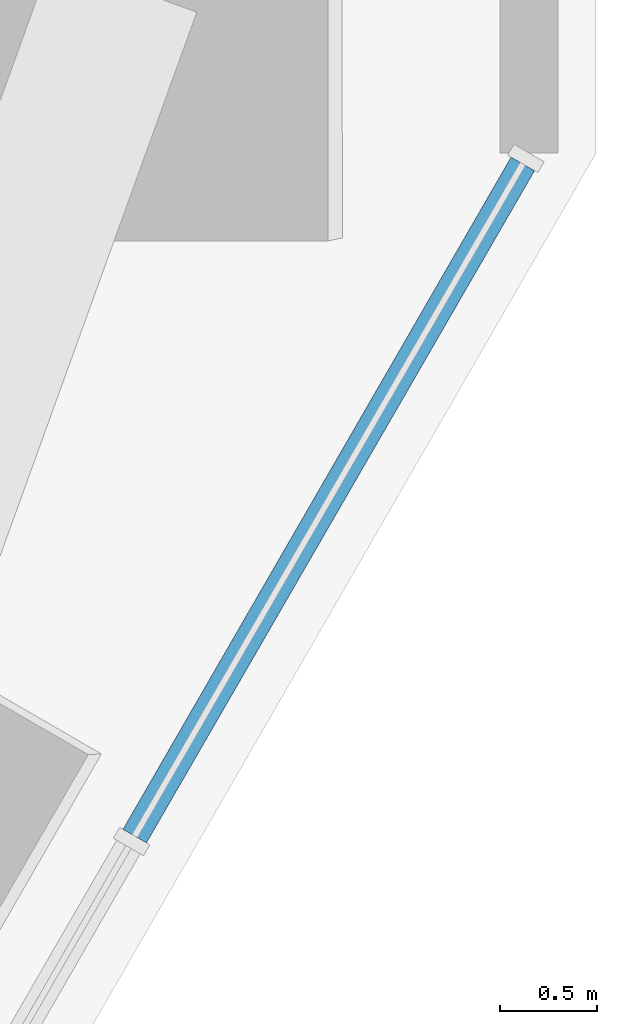
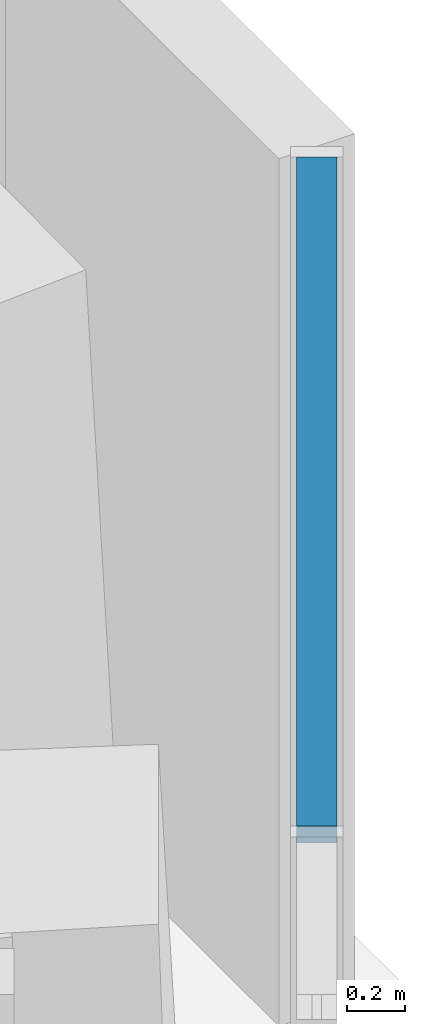
# One storey, part 6 of 17: 1 member, 1 element without a shape of its own.
"""IFC4 building model written with IfcOpenShell, lengths in metres."""

import ifcopenshell
import ifcopenshell.guid

model = None  # the IFC model being written
_history = None  # IfcOwnerHistory: only IFC2X3 demands one
_inside = {}  # id of a spatial element -> (the spatial element, [elements in it])
_under = {}  # id of a project, library or spatial element -> (it, [spatial elements below it])
_declared = {}  # id of a project -> (the project, [libraries it declares])
_typed = {}  # id of a type object -> (the type object, [elements of that type])
_made_of = {}  # id of a material, layer set ... -> (it, [elements and type objects made of it])


def new_model(schema):
    """Start an empty IFC model of exactly this schema.

    Asked for "IFC4X3", IfcOpenShell would pick the latest addendum, in which some entities
    have other attributes; the version numbers below select the first issue.
    IFC2X3 requires an IfcOwnerHistory on every rooted entity: one is made here for all.
    """
    global model, _history
    if schema == "IFC4X3":
        model = ifcopenshell.file(schema_version=(4, 3, 0, 0))
    else:
        model = ifcopenshell.file(schema=schema)
    _inside.clear()
    _under.clear()
    _declared.clear()
    _typed.clear()
    _made_of.clear()
    _history = None
    if model.schema == "IFC2X3":
        org = make("IfcOrganization", Name="unknown")
        user = make(
            "IfcPersonAndOrganization",
            ThePerson=make("IfcPerson", FamilyName="unknown"),
            TheOrganization=org,
        )
        app = make(
            "IfcApplication",
            ApplicationDeveloper=org,
            Version="unknown",
            ApplicationFullName="unknown",
            ApplicationIdentifier="unknown",
        )
        _history = make(
            "IfcOwnerHistory",
            OwningUser=user,
            OwningApplication=app,
            ChangeAction="ADDED",
            CreationDate=0,
        )
    return model


def make(cls, **values):
    """One entity of the class cls with the attributes given. An attribute that is None is left unset."""
    return model.create_entity(
        cls, **{name: value for name, value in values.items() if value is not None}
    )


def rooted(cls, **values):
    """An entity with a GlobalId (a new one), such as an element, a storey or a relation."""
    return make(cls, GlobalId=ifcopenshell.guid.new(), OwnerHistory=_history, **values)


def si_unit(unit_type, name, prefix=None):
    """IfcSIUnit, for example si_unit("LENGTHUNIT", "METRE", prefix="MILLI")."""
    return make("IfcSIUnit", UnitType=unit_type, Prefix=prefix, Name=name)


def assignment(units):
    """IfcUnitAssignment: the units of a project."""
    return None if units is None else make("IfcUnitAssignment", Units=units)


def point(xyz):
    """IfcCartesianPoint."""
    return None if xyz is None else make("IfcCartesianPoint", Coordinates=xyz)


def direction(xyz):
    """IfcDirection."""
    return None if xyz is None else make("IfcDirection", DirectionRatios=xyz)


def frame(location, z_axis=None, x_axis=None):
    """IfcAxis2Placement3D, a coordinate frame: its origin and axes. An axis left out is left unset."""
    return make(
        "IfcAxis2Placement3D",
        Location=point(location),
        Axis=direction(z_axis),
        RefDirection=direction(x_axis),
    )


def frame_2d(location, x_axis=None):
    """IfcAxis2Placement2D, a coordinate frame in the plane: its origin and x axis."""
    return make(
        "IfcAxis2Placement2D", Location=point(location), RefDirection=direction(x_axis)
    )


def origin():
    """The frame at (0, 0, 0) with its axes left unset."""
    return frame((0.0, 0.0, 0.0))


def origin_2d():
    """The frame at (0, 0) in the plane with its x axis left unset."""
    return frame_2d((0.0, 0.0))


def place(relative_to, where):
    """IfcLocalPlacement: puts the frame where relative to a parent placement (None: the world)."""
    return make(
        "IfcLocalPlacement", PlacementRelTo=relative_to, RelativePlacement=where
    )


def context(
    kind, dimensions, precision=None, world=None, true_north=None, identifier=None
):
    """IfcGeometricRepresentationContext, for example the 3D "Model" context."""
    return make(
        "IfcGeometricRepresentationContext",
        ContextIdentifier=identifier,
        ContextType=kind,
        CoordinateSpaceDimension=dimensions,
        Precision=precision,
        WorldCoordinateSystem=world,
        TrueNorth=true_north,
    )


def subcontext(parent, identifier, kind, view, scale=None):
    """IfcGeometricRepresentationSubContext, for example "Body" below "Model"."""
    return make(
        "IfcGeometricRepresentationSubContext",
        ContextIdentifier=identifier,
        ContextType=kind,
        ParentContext=parent,
        TargetScale=scale,
        TargetView=view,
    )


def project(units=None, contexts=None):
    """IfcProject with its units and contexts."""
    return rooted(
        "IfcProject",
        Name="project",
        RepresentationContexts=contexts,
        UnitsInContext=assignment(units),
    )


def spatial(cls, under=None, at=None, **own):
    """A site, building, storey or space (cls), placed at a placement, below another one or the project."""
    s = rooted(cls, ObjectPlacement=at, **own)
    if under is not None:
        _under.setdefault(under.id(), (under, []))[1].append(s)
    return s


def profile(cls, at=None, kind="AREA", **sizes):
    """A parametric profile (cls). Its sizes go by their IFC names, for example OverallWidth=200.0."""
    return make(cls, ProfileType=kind, Position=at, **sizes)


def rectangle(**sizes):
    """IfcRectangleProfileDef."""
    return profile("IfcRectangleProfileDef", **sizes)


def extrude(swept, where, along, depth):
    """IfcExtrudedAreaSolid: the profile swept, set in the frame where, extruded along a direction by depth."""
    return make(
        "IfcExtrudedAreaSolid",
        SweptArea=swept,
        Position=where,
        ExtrudedDirection=direction(along),
        Depth=depth,
    )


def shape(context_of_items, identifier, shape_type, items):
    """IfcShapeRepresentation: the items that make up one representation, for example the "Body"."""
    return make(
        "IfcShapeRepresentation",
        ContextOfItems=context_of_items,
        RepresentationIdentifier=identifier,
        RepresentationType=shape_type,
        Items=items,
    )


def material(Name=None, Category=None):
    """IfcMaterial."""
    return make("IfcMaterial", Name=Name, Category=Category)


def material_profile(
    of_material, cross_section, Name=None, Category=None, Priority=None
):
    """IfcMaterialProfile: a cross section and its material."""
    return make(
        "IfcMaterialProfile",
        Name=Name,
        Material=of_material,
        Profile=cross_section,
        Priority=Priority,
        Category=Category,
    )


def profile_set(profiles, Name=None, composite=None):
    """IfcMaterialProfileSet."""
    return make(
        "IfcMaterialProfileSet",
        Name=Name,
        MaterialProfiles=profiles,
        CompositeProfile=composite,
    )


def made_of(thing, what):
    """Note that an element or type object is made of a material, layer set ...; save() writes the relation."""
    if what is not None:
        _made_of.setdefault(what.id(), (what, []))[1].append(thing)
    return thing


def type_object(cls, material=None, **own):
    """A type object (cls), such as IfcWallType, which elements share."""
    return made_of(rooted(cls, **own), material)


def element(
    cls,
    number,
    at=None,
    inside=None,
    cuts=None,
    type_object=None,
    material=None,
    context=None,
    identifier="Body",
    shape_type=None,
    held_by="IfcProductDefinitionShape",
    body=None,
    shapes=None,
    **own,
):
    """One element of the class cls, such as IfcWall. Its Tag is "e" and its number.

    at: its placement. inside: the storey or other place that contains it. cuts: it is an
    opening in that element (IfcRelVoidsElement). A single representation is given by context,
    identifier, shape_type and body (its items); several are given by shapes. held_by: the class
    of the entity that holds the representations. save() writes the other relations.
    """
    e = rooted(cls, Tag="e%d" % number, ObjectPlacement=at, **own)
    if body is not None:
        shapes = [shape(context, identifier, shape_type, body)]
    if shapes is not None:
        e.Representation = make(held_by, Representations=shapes)
    if inside is not None:
        _inside.setdefault(inside.id(), (inside, []))[1].append(e)
    if cuts is not None:
        rooted(
            "IfcRelVoidsElement", RelatingBuildingElement=cuts, RelatedOpeningElement=e
        )
    if type_object is not None:
        _typed.setdefault(type_object.id(), (type_object, []))[1].append(e)
    return made_of(e, material)


def aggregate(whole, parts):
    """IfcRelAggregates: a whole, such as a stair, and the parts it consists of."""
    return rooted("IfcRelAggregates", RelatingObject=whole, RelatedObjects=parts)


def save(model, path):
    """Write the relations noted so far, then the file.

    IfcRelAggregates (storeys below a building ...), IfcRelContainedInSpatialStructure (elements
    in a storey), IfcRelDefinesByType, IfcRelAssociatesMaterial and IfcRelDeclares: one each for
    every whole, place, type object, material and project.
    """
    for whole, parts in _under.values():
        aggregate(whole, parts)
    for where, things in _inside.values():
        rooted(
            "IfcRelContainedInSpatialStructure",
            RelatedElements=things,
            RelatingStructure=where,
        )
    for kind, things in _typed.values():
        rooted("IfcRelDefinesByType", RelatedObjects=things, RelatingType=kind)
    for what, things in _made_of.values():
        rooted("IfcRelAssociatesMaterial", RelatedObjects=things, RelatingMaterial=what)
    for by, libraries in _declared.values():
        rooted("IfcRelDeclares", RelatingContext=by, RelatedDefinitions=libraries)
    model.write(path)


model = new_model("IFC4")

# Units and contexts
model_context = context("Model", 3, precision=1e-05, world=origin(), true_north=direction((0.0, 1.0)))
body_context = subcontext(model_context, "Body", "Model", "MODEL_VIEW")
ifc_project = project(units=[si_unit("LENGTHUNIT", "METRE"), si_unit("AREAUNIT", "SQUARE_METRE"), si_unit("VOLUMEUNIT", "CUBIC_METRE"), si_unit("PLANEANGLEUNIT", "RADIAN"), si_unit("MASSUNIT", "GRAM", prefix="KILO")], contexts=[model_context])

# Site, building, storey
site_placement = place(None, origin())
site = spatial("IfcSite", under=ifc_project, at=site_placement, CompositionType="ELEMENT")
building_placement = place(site_placement, origin())
building = spatial("IfcBuilding", under=site, at=building_placement, Name="Sandreach Pilgrim Tower", CompositionType="ELEMENT")
storey_placement = place(building_placement, frame((0.0, 0.0, 150.0)))
storey = spatial("IfcBuildingStorey", under=building, at=storey_placement, Name="L37", CompositionType="ELEMENT", Elevation=150.0)

# Curtain wall, member
ifc_material_1 = material(Name="Aluminium framed curtain wall", Category="aluminium")
curtain_wall_type = type_object("IfcCurtainWallType", Name="Hotel tower curtain wall", PredefinedType="NOTDEFINED", material=ifc_material_1)
curtain_wall_placement = place(storey_placement, origin())
curtain_wall = element("IfcCurtainWall", 1, at=curtain_wall_placement, inside=storey, type_object=curtain_wall_type, Name="CW-2 L37 SE", PredefinedType="NOTDEFINED")
ifc_material_2 = material(Name="Aluminium extrusion", Category="aluminium")
ifc_material_profile = material_profile(ifc_material_2, rectangle(XDim=0.139892578125, YDim=0.070068359375, at=origin_2d()), Name="CW-2T 140X70")
ifc_profile_set = profile_set([ifc_material_profile], Name="Aluminium extrusion")
member_type = type_object("IfcMemberType", Name="CW-2 transom", PredefinedType="USERDEFINED", material=ifc_profile_set)
member_placement = place(storey_placement, frame((28.6884765625, 4.7021484375, 3.60498046875), z_axis=(-0.500015851672, -0.866016251624, 0.0), x_axis=(0.866016251624, -0.500015851672, 0.0)))
member = element("IfcMember", 2, at=member_placement, type_object=member_type, Name="CW-2 head transom 1", ObjectType="TRANSOM", PredefinedType="USERDEFINED", context=body_context, shape_type="SweptSolid", body=[
    extrude(rectangle(XDim=0.139892578125, YDim=0.070068359375, at=origin_2d()), origin(), (0.0, 0.0, 1.0), 4.009521484375),
])
aggregate(curtain_wall, [member])

save(model, "model.ifc")
